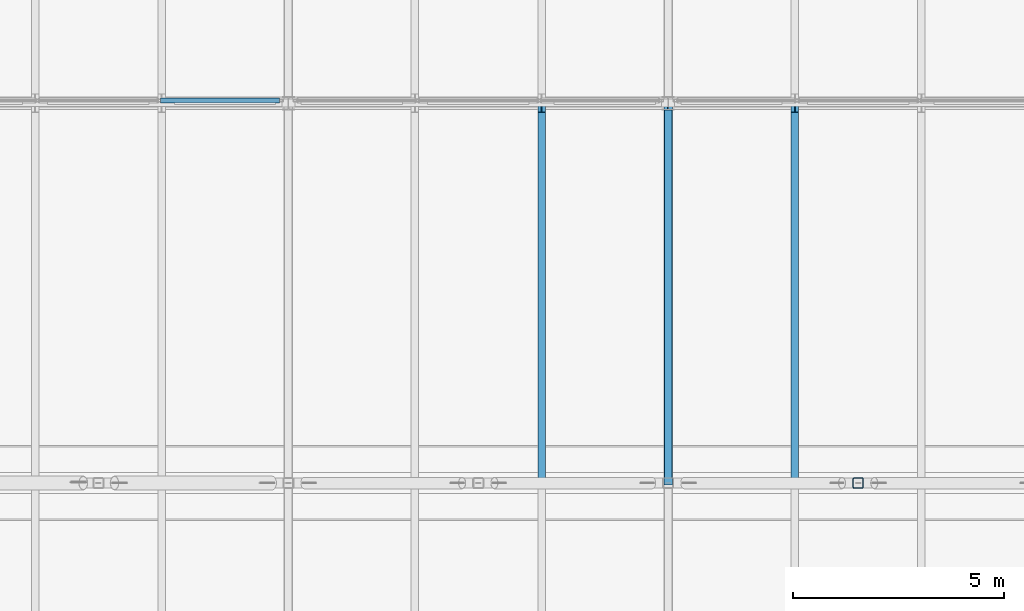
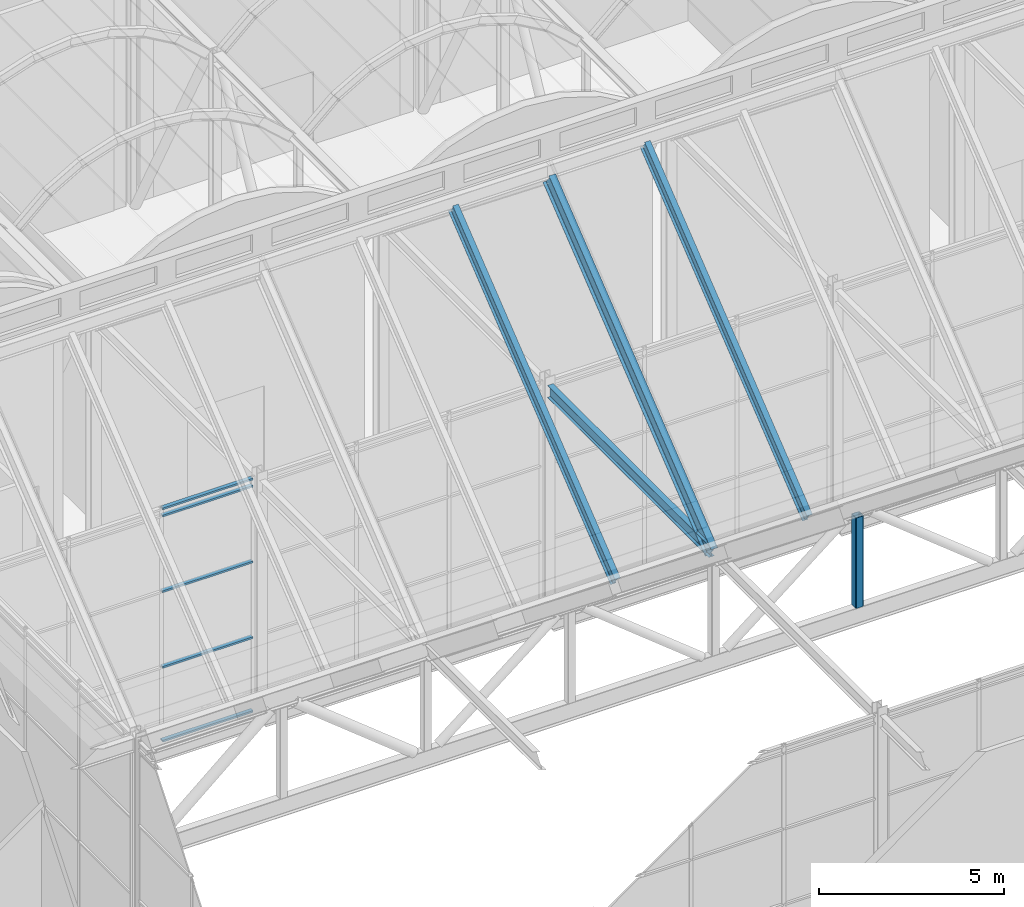
# One storey, part 46 of 144: 9 members, 1 beam, 1 element without a shape of its own.
"""IFC4 building model written with IfcOpenShell, lengths in metres."""

from ifc_helpers import new_model, si_unit, direction, frame, origin, origin_2d, place, context, subcontext, project, spatial, hollow_rectangle, i_section, extrude, material, layer, layer_set, material_profile, profile_set, type_object, element, aggregate, save


model = new_model("IFC4")

# Units and contexts
model_context = context("Model", 3, precision=1e-05, world=origin(), true_north=direction((0.0, 1.0)))
body_context = subcontext(model_context, "Body", "Model", "MODEL_VIEW")
ifc_project = project(units=[si_unit("LENGTHUNIT", "METRE"), si_unit("AREAUNIT", "SQUARE_METRE"), si_unit("VOLUMEUNIT", "CUBIC_METRE"), si_unit("PLANEANGLEUNIT", "RADIAN"), si_unit("MASSUNIT", "GRAM", prefix="KILO")], contexts=[model_context])

# Site, building, storey
site_placement = place(None, origin())
site = spatial("IfcSite", under=ifc_project, at=site_placement, CompositionType="ELEMENT")
building_placement = place(site_placement, origin())
building = spatial("IfcBuilding", under=site, at=building_placement, Name="Shorebreak Coast Museum", CompositionType="ELEMENT")
storey_placement = place(building_placement, frame((0.0, 0.0, 36.0)))
storey = spatial("IfcBuildingStorey", under=building, at=storey_placement, Name="L06", CompositionType="ELEMENT", Elevation=36.0)

# Members
ifc_material_1 = material(Name="Steel Grade C450L0", Category="steel")
ifc_material_profile_1 = material_profile(ifc_material_1, hollow_rectangle(XDim=0.25, YDim=0.25, WallThickness=0.012451171875, InnerFilletRadius=0.018798828125, OuterFilletRadius=0.03125, at=origin_2d()), Name="250x250x12.5 SHS")
ifc_profile_set_1 = profile_set([ifc_material_profile_1], Name="Steel Grade C450L0")
member_type_1 = type_object("IfcMemberType", Name="Atrium roof truss strut 250x250x12.5 SHS", PredefinedType="STRUT", material=ifc_profile_set_1)
member_1_placement = place(storey_placement, frame((85.5, 72.0, 4.235595703125), z_axis=(0.0, 0.0, 1.0), x_axis=(1.0, 0.0, 0.0)))
element("IfcMember", 1, at=member_1_placement, inside=storey, type_object=member_type_1, Name="Atrium roof truss TA3 strut V05", PredefinedType="STRUT", context=body_context, shape_type="SweptSolid", body=[
    extrude(hollow_rectangle(XDim=0.25, YDim=0.25, WallThickness=0.012451171875, InnerFilletRadius=0.018798828125, OuterFilletRadius=0.03125, at=origin_2d()), origin(), (0.0, 0.0, 1.0), 2.98779296875),
])
ifc_material_2 = material(Name="Steel Grade 300", Category="steel")
ifc_material_profile_2 = material_profile(ifc_material_2, i_section(OverallWidth=0.177978515625, OverallDepth=0.402587890625, WebThickness=0.007568359375, FlangeThickness=0.010986328125, FilletRadius=0.011474609375, at=origin_2d()), Name="410UB53.7")
ifc_profile_set_2 = profile_set([ifc_material_profile_2], Name="Steel Grade 300")
member_type_2 = type_object("IfcMemberType", Name="Fold rafter 410UB53.7", PredefinedType="RAFTER", material=ifc_profile_set_2)
for number, where, z_axis, x_axis, name in (
    (2, (78.0, 80.905029296875, 14.610107421875), (0.0, -0.780866693621, -0.624697692322), (1.0, 0.0, 0.0), "Fold rafter FOLD-X line 3 09"),
    (3, (84.0, 80.905029296875, 14.610107421875), (0.0, -0.780866693621, -0.624697692322), (1.0, 0.0, 0.0), "Fold rafter FOLD-X line 3 11"),
):
    element("IfcMember", number, at=place(storey_placement, frame(where, z_axis=z_axis, x_axis=x_axis)), inside=storey, type_object=member_type_2, Name=name, PredefinedType="RAFTER", context=body_context, shape_type="SweptSolid", body=[
        extrude(i_section(OverallWidth=0.177978515625, OverallDepth=0.402587890625, WebThickness=0.007568359375, FlangeThickness=0.010986328125, FilletRadius=0.011474609375, at=origin_2d()), origin(), (0.0, 0.0, 1.0), 11.25732421875),
    ])
ifc_material_3 = material(Name="Steel Grade 300", Category="steel")
ifc_material_profile_3 = material_profile(ifc_material_3, i_section(OverallWidth=0.208984375, OverallDepth=0.5283203125, WebThickness=0.009521484375, FlangeThickness=0.01318359375, FilletRadius=0.013916015625, at=origin_2d()), Name="530UB82.0")
ifc_profile_set_3 = profile_set([ifc_material_profile_3], Name="Steel Grade 300")
member_type_3 = type_object("IfcMemberType", Name="Fold rib rafter 530UB82.0", PredefinedType="RAFTER", material=ifc_profile_set_3)
member_2_placement = place(storey_placement, frame((81.0, 80.905029296875, 14.52978515625), z_axis=(0.0, -0.780866693621, -0.624697692322), x_axis=(1.0, 0.0, 0.0)))
element("IfcMember", 4, at=member_2_placement, inside=storey, type_object=member_type_3, Name="Fold rib rafter FOLD-X line 3 10", PredefinedType="RAFTER", context=body_context, shape_type="SweptSolid", body=[
    extrude(i_section(OverallWidth=0.208984375, OverallDepth=0.5283203125, WebThickness=0.009521484375, FlangeThickness=0.01318359375, FilletRadius=0.013916015625, at=origin_2d()), origin(), (0.0, 0.0, 1.0), 11.25732421875),
])

# Beam
ifc_material_4 = material(Name="Steel Grade 300", Category="steel")
ifc_material_profile_4 = material_profile(ifc_material_4, i_section(OverallWidth=0.177978515625, OverallDepth=0.402587890625, WebThickness=0.007568359375, FlangeThickness=0.010986328125, FilletRadius=0.011474609375, at=origin_2d()), Name="410UB53.7")
ifc_profile_set_4 = profile_set([ifc_material_profile_4], Name="Steel Grade 300")
beam_type = type_object("IfcBeamType", Name="Fold rib tie 410UB53.7", PredefinedType="BEAM", material=ifc_profile_set_4)
beam_placement = place(storey_placement, frame((81.0, 72.114501953125, 7.54248046875), z_axis=(0.0, 1.0, 0.0), x_axis=(-1.0, 0.0, 0.0)))
element("IfcBeam", 5, at=beam_placement, inside=storey, type_object=beam_type, Name="Fold rib tie FOLD-X rib 10 J-K", PredefinedType="BEAM", context=body_context, shape_type="SweptSolid", body=[
    extrude(i_section(OverallWidth=0.177978515625, OverallDepth=0.402587890625, WebThickness=0.007568359375, FlangeThickness=0.010986328125, FilletRadius=0.011474609375, at=origin_2d()), origin(), (0.0, 0.0, 1.0), 8.728271484375),
])

# Curtain wall, members
ifc_material_5 = material(Name="Aluminium", Category="aluminium")
ifc_layer = layer(ifc_material_5, 0.1201171875)
ifc_layer_set = layer_set([ifc_layer], Name="Aluminium")
curtain_wall_type = type_object("IfcCurtainWallType", Name="Atrium fire screen", PredefinedType="NOTDEFINED", material=ifc_layer_set)
curtain_wall_placement = place(storey_placement, origin())
curtain_wall = element("IfcCurtainWall", 6, at=curtain_wall_placement, inside=storey, type_object=curtain_wall_type, Name="Atrium screen L06 N 84", PredefinedType="NOTDEFINED")
ifc_material_6 = material(Name="Aluminium", Category="aluminium")
ifc_material_profile_5 = material_profile(ifc_material_6, hollow_rectangle(XDim=0.1201171875, YDim=0.06005859375, WallThickness=0.00341796875, at=origin_2d()), Name="AL 60x120 RHS")
ifc_profile_set_5 = profile_set([ifc_material_profile_5], Name="Aluminium")
member_type_4 = type_object("IfcMemberType", Name="Screen transom 120 x 50", PredefinedType="USERDEFINED", material=ifc_profile_set_5)
member_3_placement = place(storey_placement, frame((68.973876953125, 81.06005859375, 0.06005859375), z_axis=(1.0, 0.0, 0.0), x_axis=(0.0, 1.0, 0.0)))
member_3 = element("IfcMember", 7, at=member_3_placement, type_object=member_type_4, Name="CW4 transom 3.1", ObjectType="TRANSOM", PredefinedType="USERDEFINED", context=body_context, shape_type="SweptSolid", body=[
    extrude(hollow_rectangle(XDim=0.1201171875, YDim=0.06005859375, WallThickness=0.00341796875, at=origin_2d()), origin(), (0.0, 0.0, 1.0), 2.822509765625),
])
member_4_placement = place(storey_placement, frame((68.973876953125, 81.06005859375, 2.5), z_axis=(1.0, 0.0, 0.0), x_axis=(0.0, 1.0, 0.0)))
member_4 = element("IfcMember", 8, at=member_4_placement, type_object=member_type_4, Name="CW4 transom 3.2", ObjectType="TRANSOM", PredefinedType="USERDEFINED", context=body_context, shape_type="SweptSolid", body=[
    extrude(hollow_rectangle(XDim=0.1201171875, YDim=0.06005859375, WallThickness=0.00341796875, at=origin_2d()), origin(), (0.0, 0.0, 1.0), 2.822509765625),
])
member_5_placement = place(storey_placement, frame((68.973876953125, 81.06005859375, 5.0), z_axis=(1.0, 0.0, 0.0), x_axis=(0.0, 1.0, 0.0)))
member_5 = element("IfcMember", 9, at=member_5_placement, type_object=member_type_4, Name="CW4 transom 3.3", ObjectType="TRANSOM", PredefinedType="USERDEFINED", context=body_context, shape_type="SweptSolid", body=[
    extrude(hollow_rectangle(XDim=0.1201171875, YDim=0.06005859375, WallThickness=0.00341796875, at=origin_2d()), origin(), (0.0, 0.0, 1.0), 2.822509765625),
])
member_6_placement = place(storey_placement, frame((68.973876953125, 81.06005859375, 7.5), z_axis=(1.0, 0.0, 0.0), x_axis=(0.0, 1.0, 0.0)))
member_6 = element("IfcMember", 10, at=member_6_placement, type_object=member_type_4, Name="CW4 transom 3.4", ObjectType="TRANSOM", PredefinedType="USERDEFINED", context=body_context, shape_type="SweptSolid", body=[
    extrude(hollow_rectangle(XDim=0.1201171875, YDim=0.06005859375, WallThickness=0.00341796875, at=origin_2d()), origin(), (0.0, 0.0, 1.0), 2.822509765625),
])
member_7_placement = place(storey_placement, frame((68.973876953125, 81.06005859375, 7.739990234375), z_axis=(1.0, 0.0, 0.0), x_axis=(0.0, 1.0, 0.0)))
member_7 = element("IfcMember", 11, at=member_7_placement, type_object=member_type_4, Name="CW4 transom 3.5", ObjectType="TRANSOM", PredefinedType="USERDEFINED", context=body_context, shape_type="SweptSolid", body=[
    extrude(hollow_rectangle(XDim=0.1201171875, YDim=0.06005859375, WallThickness=0.00341796875, at=origin_2d()), origin(), (0.0, 0.0, 1.0), 2.822509765625),
])
aggregate(curtain_wall, [member_3, member_4, member_5, member_6, member_7])

save(model, "model.ifc")
